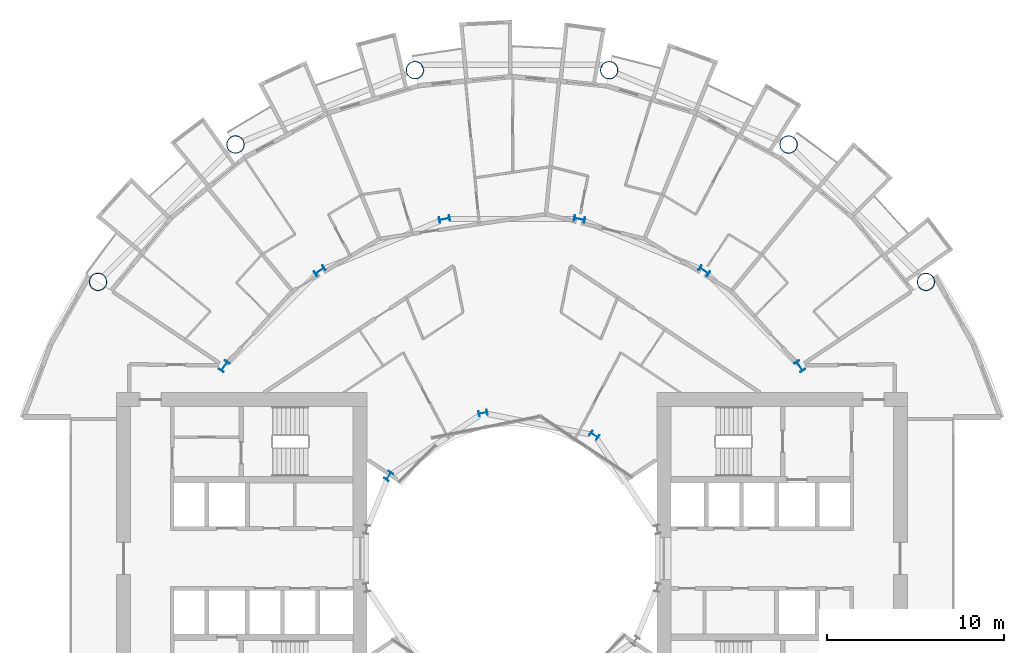
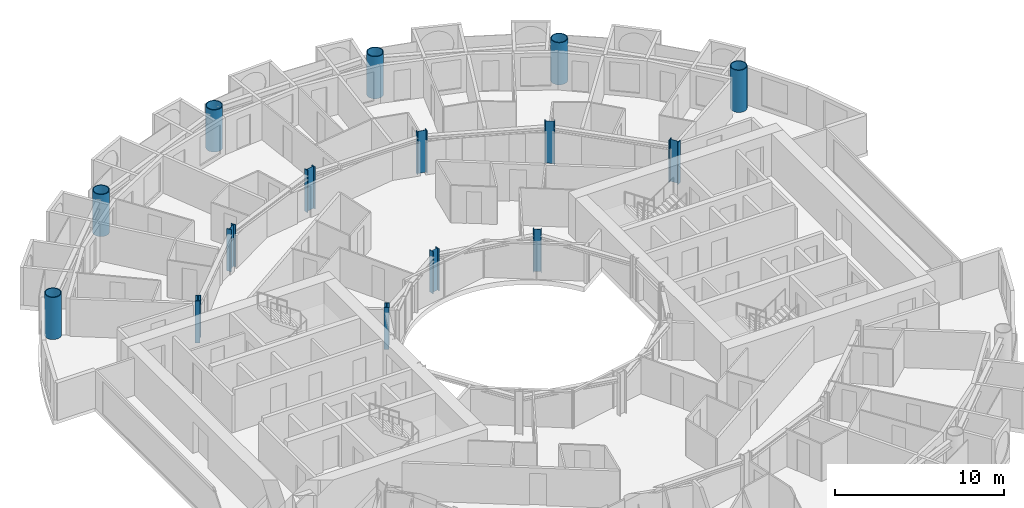
# One storey, part 3 of 26: 15 columns.
"""IFC4 building model written with IfcOpenShell, lengths in metres."""

import ifcopenshell
import ifcopenshell.guid

model = None  # the IFC model being written
_history = None  # IfcOwnerHistory: only IFC2X3 demands one
_inside = {}  # id of a spatial element -> (the spatial element, [elements in it])
_under = {}  # id of a project, library or spatial element -> (it, [spatial elements below it])
_declared = {}  # id of a project -> (the project, [libraries it declares])
_typed = {}  # id of a type object -> (the type object, [elements of that type])
_made_of = {}  # id of a material, layer set ... -> (it, [elements and type objects made of it])


def new_model(schema):
    """Start an empty IFC model of exactly this schema.

    Asked for "IFC4X3", IfcOpenShell would pick the latest addendum, in which some entities
    have other attributes; the version numbers below select the first issue.
    IFC2X3 requires an IfcOwnerHistory on every rooted entity: one is made here for all.
    """
    global model, _history
    if schema == "IFC4X3":
        model = ifcopenshell.file(schema_version=(4, 3, 0, 0))
    else:
        model = ifcopenshell.file(schema=schema)
    _inside.clear()
    _under.clear()
    _declared.clear()
    _typed.clear()
    _made_of.clear()
    _history = None
    if model.schema == "IFC2X3":
        org = make("IfcOrganization", Name="unknown")
        user = make(
            "IfcPersonAndOrganization",
            ThePerson=make("IfcPerson", FamilyName="unknown"),
            TheOrganization=org,
        )
        app = make(
            "IfcApplication",
            ApplicationDeveloper=org,
            Version="unknown",
            ApplicationFullName="unknown",
            ApplicationIdentifier="unknown",
        )
        _history = make(
            "IfcOwnerHistory",
            OwningUser=user,
            OwningApplication=app,
            ChangeAction="ADDED",
            CreationDate=0,
        )
    return model


def make(cls, **values):
    """One entity of the class cls with the attributes given. An attribute that is None is left unset."""
    return model.create_entity(
        cls, **{name: value for name, value in values.items() if value is not None}
    )


def rooted(cls, **values):
    """An entity with a GlobalId (a new one), such as an element, a storey or a relation."""
    return make(cls, GlobalId=ifcopenshell.guid.new(), OwnerHistory=_history, **values)


def si_unit(unit_type, name, prefix=None):
    """IfcSIUnit, for example si_unit("LENGTHUNIT", "METRE", prefix="MILLI")."""
    return make("IfcSIUnit", UnitType=unit_type, Prefix=prefix, Name=name)


def assignment(units):
    """IfcUnitAssignment: the units of a project."""
    return None if units is None else make("IfcUnitAssignment", Units=units)


def point(xyz):
    """IfcCartesianPoint."""
    return None if xyz is None else make("IfcCartesianPoint", Coordinates=xyz)


def direction(xyz):
    """IfcDirection."""
    return None if xyz is None else make("IfcDirection", DirectionRatios=xyz)


def frame(location, z_axis=None, x_axis=None):
    """IfcAxis2Placement3D, a coordinate frame: its origin and axes. An axis left out is left unset."""
    return make(
        "IfcAxis2Placement3D",
        Location=point(location),
        Axis=direction(z_axis),
        RefDirection=direction(x_axis),
    )


def frame_2d(location, x_axis=None):
    """IfcAxis2Placement2D, a coordinate frame in the plane: its origin and x axis."""
    return make(
        "IfcAxis2Placement2D", Location=point(location), RefDirection=direction(x_axis)
    )


def origin():
    """The frame at (0, 0, 0) with its axes left unset."""
    return frame((0.0, 0.0, 0.0))


def origin_2d():
    """The frame at (0, 0) in the plane with its x axis left unset."""
    return frame_2d((0.0, 0.0))


def place(relative_to, where):
    """IfcLocalPlacement: puts the frame where relative to a parent placement (None: the world)."""
    return make(
        "IfcLocalPlacement", PlacementRelTo=relative_to, RelativePlacement=where
    )


def context(
    kind, dimensions, precision=None, world=None, true_north=None, identifier=None
):
    """IfcGeometricRepresentationContext, for example the 3D "Model" context."""
    return make(
        "IfcGeometricRepresentationContext",
        ContextIdentifier=identifier,
        ContextType=kind,
        CoordinateSpaceDimension=dimensions,
        Precision=precision,
        WorldCoordinateSystem=world,
        TrueNorth=true_north,
    )


def subcontext(parent, identifier, kind, view, scale=None):
    """IfcGeometricRepresentationSubContext, for example "Body" below "Model"."""
    return make(
        "IfcGeometricRepresentationSubContext",
        ContextIdentifier=identifier,
        ContextType=kind,
        ParentContext=parent,
        TargetScale=scale,
        TargetView=view,
    )


def project(units=None, contexts=None):
    """IfcProject with its units and contexts."""
    return rooted(
        "IfcProject",
        Name="project",
        RepresentationContexts=contexts,
        UnitsInContext=assignment(units),
    )


def spatial(cls, under=None, at=None, **own):
    """A site, building, storey or space (cls), placed at a placement, below another one or the project."""
    s = rooted(cls, ObjectPlacement=at, **own)
    if under is not None:
        _under.setdefault(under.id(), (under, []))[1].append(s)
    return s


def profile(cls, at=None, kind="AREA", **sizes):
    """A parametric profile (cls). Its sizes go by their IFC names, for example OverallWidth=200.0."""
    return make(cls, ProfileType=kind, Position=at, **sizes)


def hollow_circle(**sizes):
    """IfcCircleHollowProfileDef."""
    return profile("IfcCircleHollowProfileDef", **sizes)


def i_section(**sizes):
    """IfcIShapeProfileDef."""
    return profile("IfcIShapeProfileDef", **sizes)


def extrude(swept, where, along, depth):
    """IfcExtrudedAreaSolid: the profile swept, set in the frame where, extruded along a direction by depth."""
    return make(
        "IfcExtrudedAreaSolid",
        SweptArea=swept,
        Position=where,
        ExtrudedDirection=direction(along),
        Depth=depth,
    )


def shape(context_of_items, identifier, shape_type, items):
    """IfcShapeRepresentation: the items that make up one representation, for example the "Body"."""
    return make(
        "IfcShapeRepresentation",
        ContextOfItems=context_of_items,
        RepresentationIdentifier=identifier,
        RepresentationType=shape_type,
        Items=items,
    )


def material(Name=None, Category=None):
    """IfcMaterial."""
    return make("IfcMaterial", Name=Name, Category=Category)


def material_profile(
    of_material, cross_section, Name=None, Category=None, Priority=None
):
    """IfcMaterialProfile: a cross section and its material."""
    return make(
        "IfcMaterialProfile",
        Name=Name,
        Material=of_material,
        Profile=cross_section,
        Priority=Priority,
        Category=Category,
    )


def profile_set(profiles, Name=None, composite=None):
    """IfcMaterialProfileSet."""
    return make(
        "IfcMaterialProfileSet",
        Name=Name,
        MaterialProfiles=profiles,
        CompositeProfile=composite,
    )


def made_of(thing, what):
    """Note that an element or type object is made of a material, layer set ...; save() writes the relation."""
    if what is not None:
        _made_of.setdefault(what.id(), (what, []))[1].append(thing)
    return thing


def type_object(cls, material=None, **own):
    """A type object (cls), such as IfcWallType, which elements share."""
    return made_of(rooted(cls, **own), material)


def element(
    cls,
    number,
    at=None,
    inside=None,
    cuts=None,
    type_object=None,
    material=None,
    context=None,
    identifier="Body",
    shape_type=None,
    held_by="IfcProductDefinitionShape",
    body=None,
    shapes=None,
    **own,
):
    """One element of the class cls, such as IfcWall. Its Tag is "e" and its number.

    at: its placement. inside: the storey or other place that contains it. cuts: it is an
    opening in that element (IfcRelVoidsElement). A single representation is given by context,
    identifier, shape_type and body (its items); several are given by shapes. held_by: the class
    of the entity that holds the representations. save() writes the other relations.
    """
    e = rooted(cls, Tag="e%d" % number, ObjectPlacement=at, **own)
    if body is not None:
        shapes = [shape(context, identifier, shape_type, body)]
    if shapes is not None:
        e.Representation = make(held_by, Representations=shapes)
    if inside is not None:
        _inside.setdefault(inside.id(), (inside, []))[1].append(e)
    if cuts is not None:
        rooted(
            "IfcRelVoidsElement", RelatingBuildingElement=cuts, RelatedOpeningElement=e
        )
    if type_object is not None:
        _typed.setdefault(type_object.id(), (type_object, []))[1].append(e)
    return made_of(e, material)


def aggregate(whole, parts):
    """IfcRelAggregates: a whole, such as a stair, and the parts it consists of."""
    return rooted("IfcRelAggregates", RelatingObject=whole, RelatedObjects=parts)


def save(model, path):
    """Write the relations noted so far, then the file.

    IfcRelAggregates (storeys below a building ...), IfcRelContainedInSpatialStructure (elements
    in a storey), IfcRelDefinesByType, IfcRelAssociatesMaterial and IfcRelDeclares: one each for
    every whole, place, type object, material and project.
    """
    for whole, parts in _under.values():
        aggregate(whole, parts)
    for where, things in _inside.values():
        rooted(
            "IfcRelContainedInSpatialStructure",
            RelatedElements=things,
            RelatingStructure=where,
        )
    for kind, things in _typed.values():
        rooted("IfcRelDefinesByType", RelatedObjects=things, RelatingType=kind)
    for what, things in _made_of.values():
        rooted("IfcRelAssociatesMaterial", RelatedObjects=things, RelatingMaterial=what)
    for by, libraries in _declared.values():
        rooted("IfcRelDeclares", RelatingContext=by, RelatedDefinitions=libraries)
    model.write(path)


model = new_model("IFC4")

# Units and contexts
model_context = context("Model", 3, precision=1e-05, world=origin(), true_north=direction((0.0, 1.0)))
body_context = subcontext(model_context, "Body", "Model", "MODEL_VIEW")
ifc_project = project(units=[si_unit("LENGTHUNIT", "METRE"), si_unit("AREAUNIT", "SQUARE_METRE"), si_unit("VOLUMEUNIT", "CUBIC_METRE"), si_unit("PLANEANGLEUNIT", "RADIAN"), si_unit("MASSUNIT", "GRAM", prefix="KILO")], contexts=[model_context])

# Site, building, storey
site_placement = place(None, origin())
site = spatial("IfcSite", under=ifc_project, at=site_placement, CompositionType="ELEMENT")
building_placement = place(site_placement, origin())
building = spatial("IfcBuilding", under=site, at=building_placement, Name="Maasbend Ring Residences", CompositionType="ELEMENT")
storey_placement = place(building_placement, frame((0.0, 0.0, 28.89990234375)))
storey = spatial("IfcBuildingStorey", under=building, at=storey_placement, Name="L07", CompositionType="ELEMENT", Elevation=28.89990234375)

# Columns
ifc_material_1 = material(Name="Composite concrete-filled steel tube S460NH / C80/95", Category="concrete")
ifc_material_profile_1 = material_profile(ifc_material_1, hollow_circle(Radius=0.508056640625, WallThickness=0.050048828125, at=origin_2d()), Name="Composite tube column CHS 1016x50")
ifc_profile_set_1 = profile_set([ifc_material_profile_1], Name="Composite concrete-filled steel tube S460NH / C80/95")
column_type_1 = type_object("IfcColumnType", Name="Composite tube column CHS 1016x50", PredefinedType="COLUMN", material=ifc_profile_set_1)
for number, where, z_axis, x_axis, name in (
    (1, (23.447509765625, 15.6669921875, 0.0), (0.0, 0.0, 1.0), (1.0, 0.0, 0.0), "Outer column R2"),
    (2, (15.6669921875, 23.447509765625, 0.0), (0.0, 0.0, 1.0), (1.0, 0.0, 0.0), "Outer column R3"),
    (3, (5.50146484375, 27.658203125, 0.0), (0.0, 0.0, 1.0), (1.0, 0.0, 0.0), "Outer column R4"),
    (4, (-5.50146484375, 27.658203125, 0.0), (0.0, 0.0, 1.0), (1.0, 0.0, 0.0), "Outer column R5"),
    (5, (-15.6669921875, 23.447509765625, 0.0), (0.0, 0.0, 1.0), (1.0, 0.0, 0.0), "Outer column R6"),
    (6, (-23.447509765625, 15.6669921875, 0.0), (0.0, 0.0, 1.0), (1.0, 0.0, 0.0), "Outer column R7"),
):
    element("IfcColumn", number, at=place(storey_placement, frame(where, z_axis=z_axis, x_axis=x_axis)), inside=storey, type_object=column_type_1, Name=name, PredefinedType="COLUMN", context=body_context, shape_type="SweptSolid", body=[
        extrude(hollow_circle(Radius=0.508056640625, WallThickness=0.050048828125, at=origin_2d()), origin(), (0.0, 0.0, 1.0), 3.050048828125),
    ])
ifc_material_2 = material(Name="Steel S355J2", Category="steel")
ifc_material_profile_2 = material_profile(ifc_material_2, i_section(OverallWidth=0.300048828125, OverallDepth=0.5, WebThickness=0.014404296875, FlangeThickness=0.028076171875, FilletRadius=0.027099609375, at=origin_2d()), Name="HEB 500")
ifc_profile_set_2 = profile_set([ifc_material_profile_2], Name="Steel S355J2")
column_type_2 = type_object("IfcColumnType", Name="Steel column HEB 500", PredefinedType="COLUMN", material=ifc_profile_set_2)
for number, where, z_axis, x_axis, name in (
    (7, (4.666748046875, 6.984375, 0.0), (0.0, 0.0, 1.0), (0.55557023302, 0.831469612303, 0.0), "Well ring column R3"),
    (8, (-1.638916015625, 8.238525390625, 0.0), (0.0, 0.0, 1.0), (-0.195090322016, 0.980785280403, 0.0), "Well ring column R5"),
    (9, (-6.984375, 4.666748046875, 0.0), (0.0, 0.0, 1.0), (-0.831469612303, 0.55557023302, 0.0), "Well ring column R7"),
):
    element("IfcColumn", number, at=place(storey_placement, frame(where, z_axis=z_axis, x_axis=x_axis)), inside=storey, type_object=column_type_2, Name=name, PredefinedType="COLUMN", context=body_context, shape_type="SweptSolid", body=[
        extrude(i_section(OverallWidth=0.300048828125, OverallDepth=0.5, WebThickness=0.014404296875, FlangeThickness=0.028076171875, FilletRadius=0.027099609375, at=origin_2d()), origin(), (0.0, 0.0, 1.0), 3.050048828125),
    ])
ifc_material_3 = material(Name="Steel S460M", Category="steel")
ifc_material_profile_3 = material_profile(ifc_material_3, i_section(OverallWidth=0.304931640625, OverallDepth=0.6201171875, WebThickness=0.02099609375, FlangeThickness=0.0400390625, FilletRadius=0.027099609375, at=origin_2d()), Name="HEM 600")
ifc_profile_set_3 = profile_set([ifc_material_profile_3], Name="Steel S460M")
column_type_3 = type_object("IfcColumnType", Name="Steel column HEM 600", PredefinedType="COLUMN", material=ifc_profile_set_3)
for number, where, z_axis, x_axis, name in (
    (10, (16.296875, 10.88916015625, 0.0), (0.0, 0.0, 1.0), (0.831469612303, 0.55557023302, 0.0), "Corridor ring column R2"),
    (11, (10.88916015625, 16.296875, 0.0), (0.0, 0.0, 1.0), (0.55557023302, 0.831469612303, 0.0), "Corridor ring column R3"),
    (12, (3.82373046875, 19.223388671875, 0.0), (0.0, 0.0, 1.0), (0.195090322016, 0.980785280403, 0.0), "Corridor ring column R4"),
    (13, (-3.82373046875, 19.223388671875, 0.0), (0.0, 0.0, 1.0), (-0.195090322016, 0.980785280403, 0.0), "Corridor ring column R5"),
    (14, (-10.88916015625, 16.296875, 0.0), (0.0, 0.0, 1.0), (-0.55557023302, 0.831469612303, 0.0), "Corridor ring column R6"),
    (15, (-16.296875, 10.88916015625, 0.0), (0.0, 0.0, 1.0), (-0.831469612303, 0.55557023302, 0.0), "Corridor ring column R7"),
):
    element("IfcColumn", number, at=place(storey_placement, frame(where, z_axis=z_axis, x_axis=x_axis)), inside=storey, type_object=column_type_3, Name=name, PredefinedType="COLUMN", context=body_context, shape_type="SweptSolid", body=[
        extrude(i_section(OverallWidth=0.304931640625, OverallDepth=0.6201171875, WebThickness=0.02099609375, FlangeThickness=0.0400390625, FilletRadius=0.027099609375, at=origin_2d()), origin(), (0.0, 0.0, 1.0), 3.050048828125),
    ])

save(model, "model.ifc")
